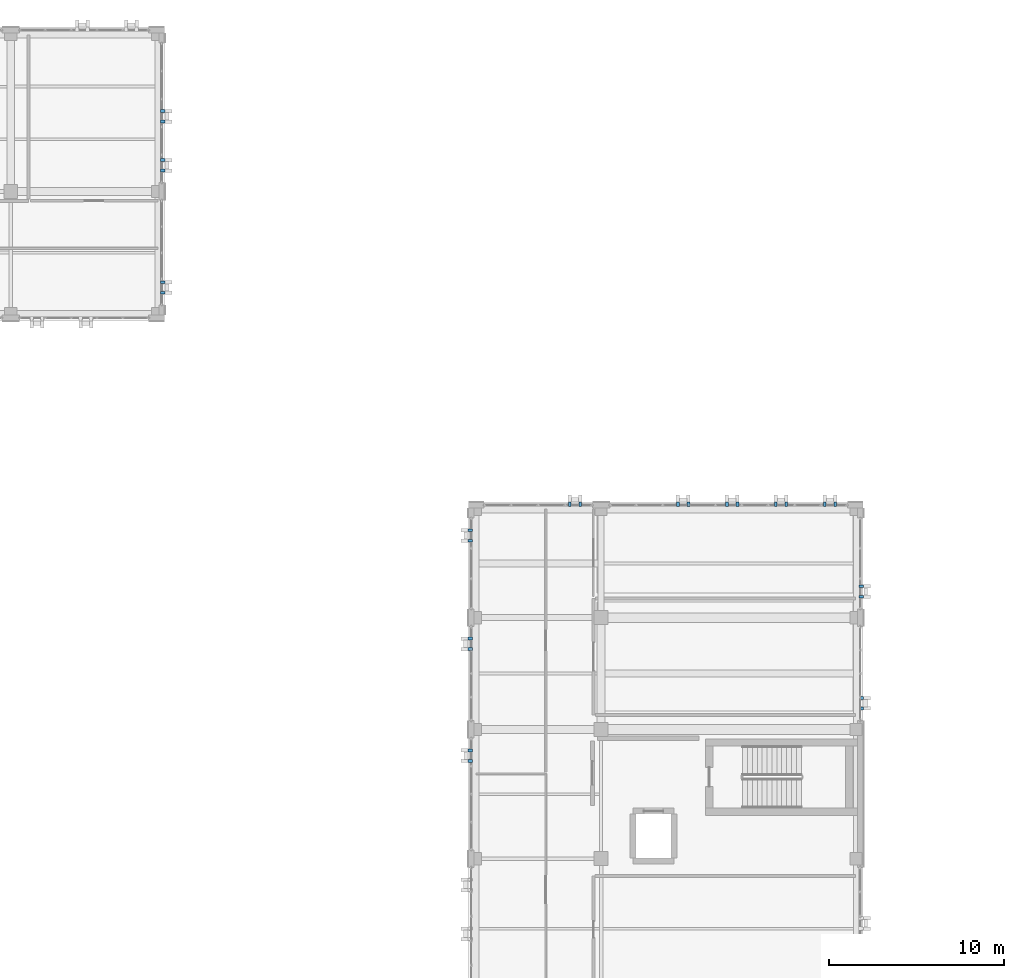
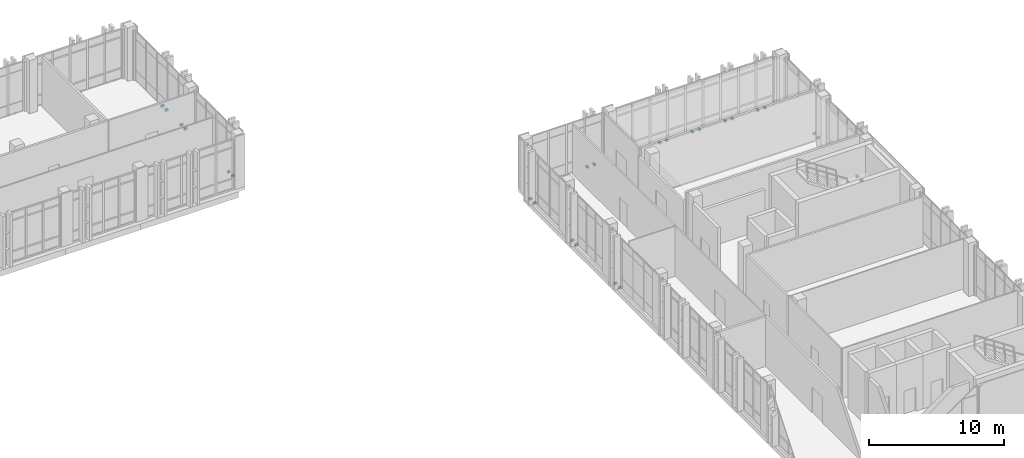
# One storey, part 167 of 189: 26 discrete accessories.
"""IFC4 building model written with IfcOpenShell, lengths in metres."""

from ifc_helpers import new_model, si_unit, direction, frame, origin, origin_2d, place, context, subcontext, project, spatial, rectangle, extrude, material, type_object, element, save


model = new_model("IFC4")

# Units and contexts
model_context = context("Model", 3, precision=1e-05, world=origin(), true_north=direction((0.0, 1.0)))
body_context = subcontext(model_context, "Body", "Model", "MODEL_VIEW")
ifc_project = project(units=[si_unit("LENGTHUNIT", "METRE"), si_unit("AREAUNIT", "SQUARE_METRE"), si_unit("VOLUMEUNIT", "CUBIC_METRE"), si_unit("PLANEANGLEUNIT", "RADIAN"), si_unit("MASSUNIT", "GRAM", prefix="KILO")], contexts=[model_context])

# Site, building, storey
site_placement = place(None, origin())
site = spatial("IfcSite", under=ifc_project, at=site_placement, CompositionType="ELEMENT")
building_placement = place(site_placement, origin())
building = spatial("IfcBuilding", under=site, at=building_placement, Name="Qalavern Law Courts", CompositionType="ELEMENT")
storey_placement = place(building_placement, frame((0.0, 0.0, 5.39990234375)))
storey = spatial("IfcBuildingStorey", under=building, at=storey_placement, Name="L01", CompositionType="ELEMENT", Elevation=5.39990234375)

# Discrete accessories
ifc_material = material(Name="Steel S355", Category="steel")
discrete_accessory_type = type_object("IfcDiscreteAccessoryType", Name="ENV-BRK-FIN", PredefinedType="BRACKET", material=ifc_material)
for number, where, z_axis, x_axis, name in (
    (1, (106.697509765625, 74.0, -0.06982421875), (0.0, 0.0, 1.0), (1.0, 0.0, 0.0), "Stone blade anchor bracket 0547"),
    (2, (106.697509765625, 74.60009765625, -0.06982421875), (0.0, 0.0, 1.0), (1.0, 0.0, 0.0), "Stone blade anchor bracket 0548"),
    (3, (106.697509765625, 80.39990234375, -0.06982421875), (0.0, 0.0, 1.0), (1.0, 0.0, 0.0), "Stone blade anchor bracket 0549"),
    (4, (106.697509765625, 81.0, -0.06982421875), (0.0, 0.0, 1.0), (1.0, 0.0, 0.0), "Stone blade anchor bracket 0550"),
    (5, (105.199951171875, 85.697509765625, -0.06982421875), (0.0, 0.0, 1.0), (0.0, 1.0, 0.0), "Stone blade anchor bracket 0551"),
    (6, (104.60009765625, 85.697509765625, -0.06982421875), (0.0, 0.0, 1.0), (0.0, 1.0, 0.0), "Stone blade anchor bracket 0552"),
    (7, (102.39990234375, 85.697509765625, -0.06982421875), (0.0, 0.0, 1.0), (0.0, 1.0, 0.0), "Stone blade anchor bracket 0553"),
    (8, (101.800048828125, 85.697509765625, -0.06982421875), (0.0, 0.0, 1.0), (0.0, 1.0, 0.0), "Stone blade anchor bracket 0554"),
    (9, (99.60009765625, 85.697509765625, -0.06982421875), (0.0, 0.0, 1.0), (0.0, 1.0, 0.0), "Stone blade anchor bracket 0555"),
    (10, (99.0, 85.697509765625, -0.06982421875), (0.0, 0.0, 1.0), (0.0, 1.0, 0.0), "Stone blade anchor bracket 0556"),
    (11, (96.800048828125, 85.697509765625, -0.06982421875), (0.0, 0.0, 1.0), (0.0, 1.0, 0.0), "Stone blade anchor bracket 0557"),
    (12, (96.199951171875, 85.697509765625, -0.06982421875), (0.0, 0.0, 1.0), (0.0, 1.0, 0.0), "Stone blade anchor bracket 0558"),
    (13, (90.60009765625, 85.697509765625, -0.06982421875), (0.0, 0.0, 1.0), (0.0, 1.0, 0.0), "Stone blade anchor bracket 0559"),
    (14, (90.0, 85.697509765625, -0.06982421875), (0.0, 0.0, 1.0), (0.0, 1.0, 0.0), "Stone blade anchor bracket 0560"),
    (15, (84.302490234375, 84.199951171875, -0.06982421875), (0.0, 0.0, 1.0), (-1.0, 0.0, 0.0), "Stone blade anchor bracket 0561"),
    (16, (84.302490234375, 83.60009765625, -0.06982421875), (0.0, 0.0, 1.0), (-1.0, 0.0, 0.0), "Stone blade anchor bracket 0562"),
    (17, (84.302490234375, 78.0, -0.06982421875), (0.0, 0.0, 1.0), (-1.0, 0.0, 0.0), "Stone blade anchor bracket 0563"),
    (18, (84.302490234375, 77.39990234375, -0.06982421875), (0.0, 0.0, 1.0), (-1.0, 0.0, 0.0), "Stone blade anchor bracket 0564"),
    (19, (84.302490234375, 71.60009765625, -0.06982421875), (0.0, 0.0, 1.0), (-1.0, 0.0, 0.0), "Stone blade anchor bracket 0565"),
    (20, (84.302490234375, 71.0, -0.06982421875), (0.0, 0.0, 1.0), (-1.0, 0.0, 0.0), "Stone blade anchor bracket 0566"),
    (21, (66.697509765625, 97.800048828125, -0.06982421875), (0.0, 0.0, 1.0), (1.0, 0.0, 0.0), "Stone blade anchor bracket 0917"),
    (22, (66.697509765625, 98.39990234375, -0.06982421875), (0.0, 0.0, 1.0), (1.0, 0.0, 0.0), "Stone blade anchor bracket 0918"),
    (23, (66.697509765625, 104.800048828125, -0.06982421875), (0.0, 0.0, 1.0), (1.0, 0.0, 0.0), "Stone blade anchor bracket 0919"),
    (24, (66.697509765625, 105.39990234375, -0.06982421875), (0.0, 0.0, 1.0), (1.0, 0.0, 0.0), "Stone blade anchor bracket 0920"),
    (25, (66.697509765625, 107.60009765625, -0.06982421875), (0.0, 0.0, 1.0), (1.0, 0.0, 0.0), "Stone blade anchor bracket 0921"),
    (26, (66.697509765625, 108.199951171875, -0.06982421875), (0.0, 0.0, 1.0), (1.0, 0.0, 0.0), "Stone blade anchor bracket 0922"),
):
    element("IfcDiscreteAccessory", number, at=place(storey_placement, frame(where, z_axis=z_axis, x_axis=x_axis)), inside=storey, type_object=discrete_accessory_type, Name=name, PredefinedType="BRACKET", context=body_context, shape_type="SweptSolid", body=[
        extrude(rectangle(XDim=0.239990234375, YDim=0.159912109375, at=origin_2d()), origin(), (0.0, 0.0, 1.0), 0.179931640625),
    ])

save(model, "model.ifc")
